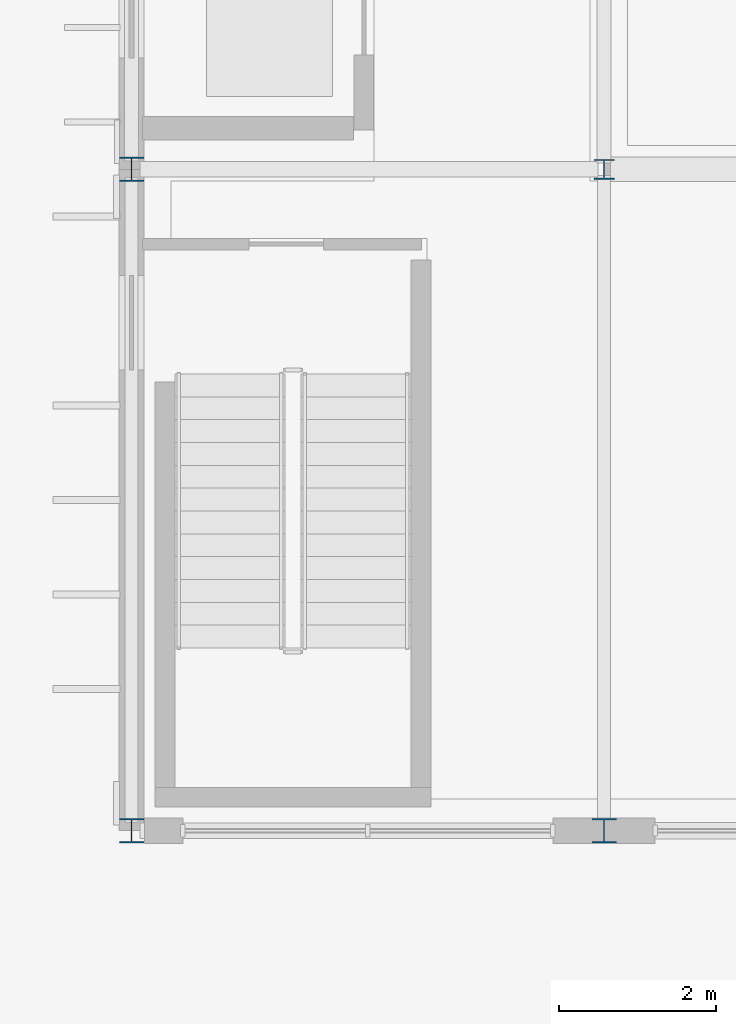
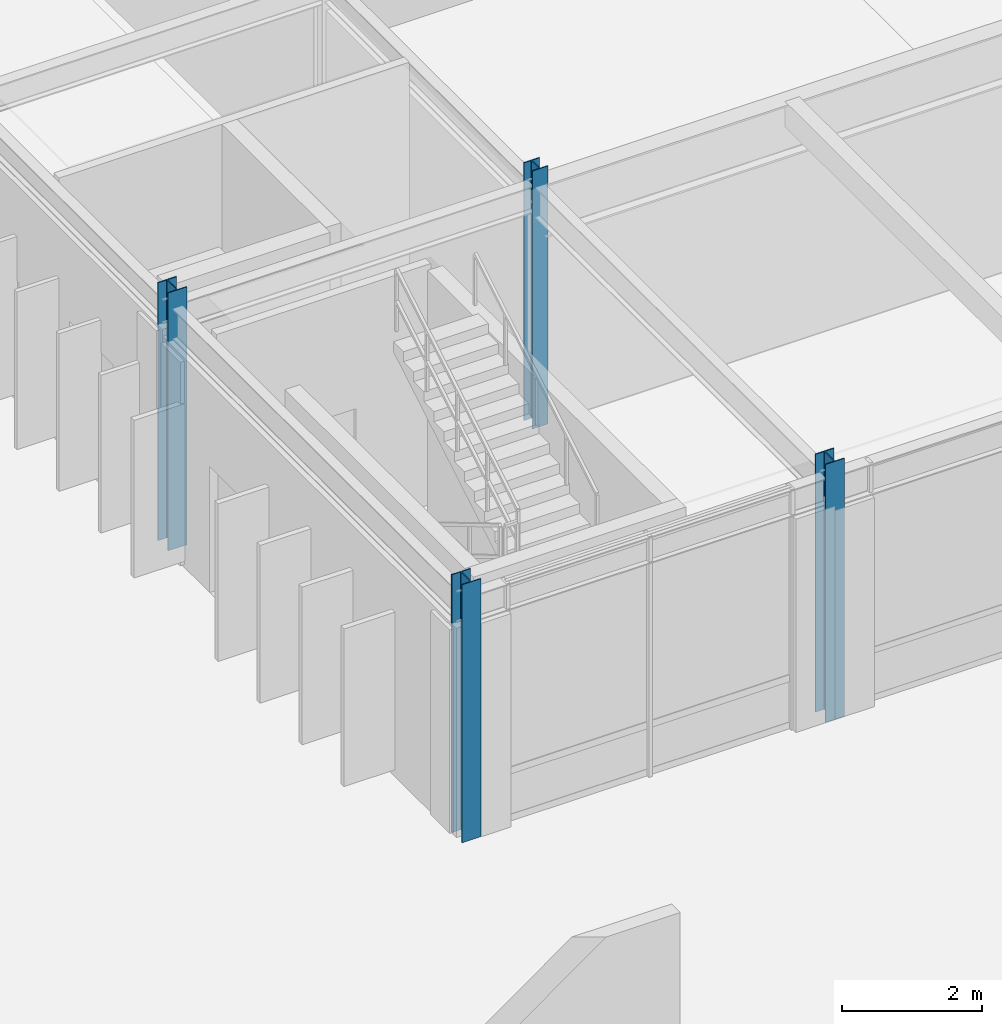
# One storey, part 2 of 67: 4 columns.
"""IFC4 building model written with IfcOpenShell, lengths in metres."""

from ifc_helpers import new_model, si_unit, direction, frame, origin, origin_2d, place, context, subcontext, project, spatial, i_section, extrude, material, material_profile, profile_set, type_object, element, save


model = new_model("IFC4")

# Units and contexts
model_context = context("Model", 3, precision=1e-05, world=origin(), true_north=direction((0.0, 1.0)))
body_context = subcontext(model_context, "Body", "Model", "MODEL_VIEW")
ifc_project = project(units=[si_unit("LENGTHUNIT", "METRE"), si_unit("AREAUNIT", "SQUARE_METRE"), si_unit("VOLUMEUNIT", "CUBIC_METRE"), si_unit("PLANEANGLEUNIT", "RADIAN"), si_unit("MASSUNIT", "GRAM", prefix="KILO"), si_unit("THERMODYNAMICTEMPERATUREUNIT", "KELVIN")], contexts=[model_context])

# Site, building, storey
site_placement = place(None, origin())
site = spatial("IfcSite", under=ifc_project, at=site_placement, CompositionType="ELEMENT")
building_placement = place(site_placement, origin())
building = spatial("IfcBuilding", under=site, at=building_placement, Name="Thalorik Housing Commons", CompositionType="ELEMENT")
storey_placement = place(building_placement, origin())
storey = spatial("IfcBuildingStorey", under=building, at=storey_placement, Name="L00", CompositionType="ELEMENT", Elevation=0.0)

# Columns
ifc_material = material(Name="Steel S355", Category="steel")
ifc_material_profile_1 = material_profile(ifc_material, i_section(OverallWidth=0.260009765625, OverallDepth=0.25390625, WebThickness=0.014404296875, FlangeThickness=0.014404296875, FilletRadius=0.010009765625, at=origin_2d()), Name="HP250x85", Category="steel")
ifc_profile_set_1 = profile_set([ifc_material_profile_1], Name="Steel S355")
column_type_1 = type_object("IfcColumnType", Name="STR-COL-HP250", PredefinedType="COLUMN", material=ifc_profile_set_1)
column_placement = place(storey_placement, frame((72.0, 66.0, 0.0), z_axis=(0.0, 0.0, 1.0), x_axis=(1.0, 0.0, 0.0)))
element("IfcColumn", 1, at=column_placement, inside=storey, type_object=column_type_1, Name="L00 Column SC-250", PredefinedType="COLUMN", context=body_context, shape_type="SweptSolid", body=[
    extrude(i_section(OverallWidth=0.260009765625, OverallDepth=0.25390625, WebThickness=0.014404296875, FlangeThickness=0.014404296875, FilletRadius=0.010009765625, at=origin_2d()), origin(), (0.0, 0.0, 1.0), 4.5),
])
ifc_material_profile_2 = material_profile(ifc_material, i_section(OverallWidth=0.31005859375, OverallDepth=0.30810546875, WebThickness=0.015380859375, FlangeThickness=0.015380859375, FilletRadius=0.011962890625, at=origin_2d()), Name="HP310x110", Category="steel")
ifc_profile_set_2 = profile_set([ifc_material_profile_2], Name="Steel S355")
column_type_2 = type_object("IfcColumnType", Name="STR-COL-HP310", PredefinedType="COLUMN", material=ifc_profile_set_2)
for number, where, z_axis, x_axis, name in (
    (2, (66.0, 57.60009765625, 0.0), (0.0, 0.0, 1.0), (1.0, 0.0, 0.0), "L00 Column SC-310"),
    (3, (66.0, 66.0, 0.0), (0.0, 0.0, 1.0), (1.0, 0.0, 0.0), "L00 Column SC-310"),
    (4, (72.0, 57.60009765625, 0.0), (0.0, 0.0, 1.0), (1.0, 0.0, 0.0), "L00 Column SC-310"),
):
    element("IfcColumn", number, at=place(storey_placement, frame(where, z_axis=z_axis, x_axis=x_axis)), inside=storey, type_object=column_type_2, Name=name, PredefinedType="COLUMN", context=body_context, shape_type="SweptSolid", body=[
        extrude(i_section(OverallWidth=0.31005859375, OverallDepth=0.30810546875, WebThickness=0.015380859375, FlangeThickness=0.015380859375, FilletRadius=0.011962890625, at=origin_2d()), origin(), (0.0, 0.0, 1.0), 4.5),
    ])

save(model, "model.ifc")
